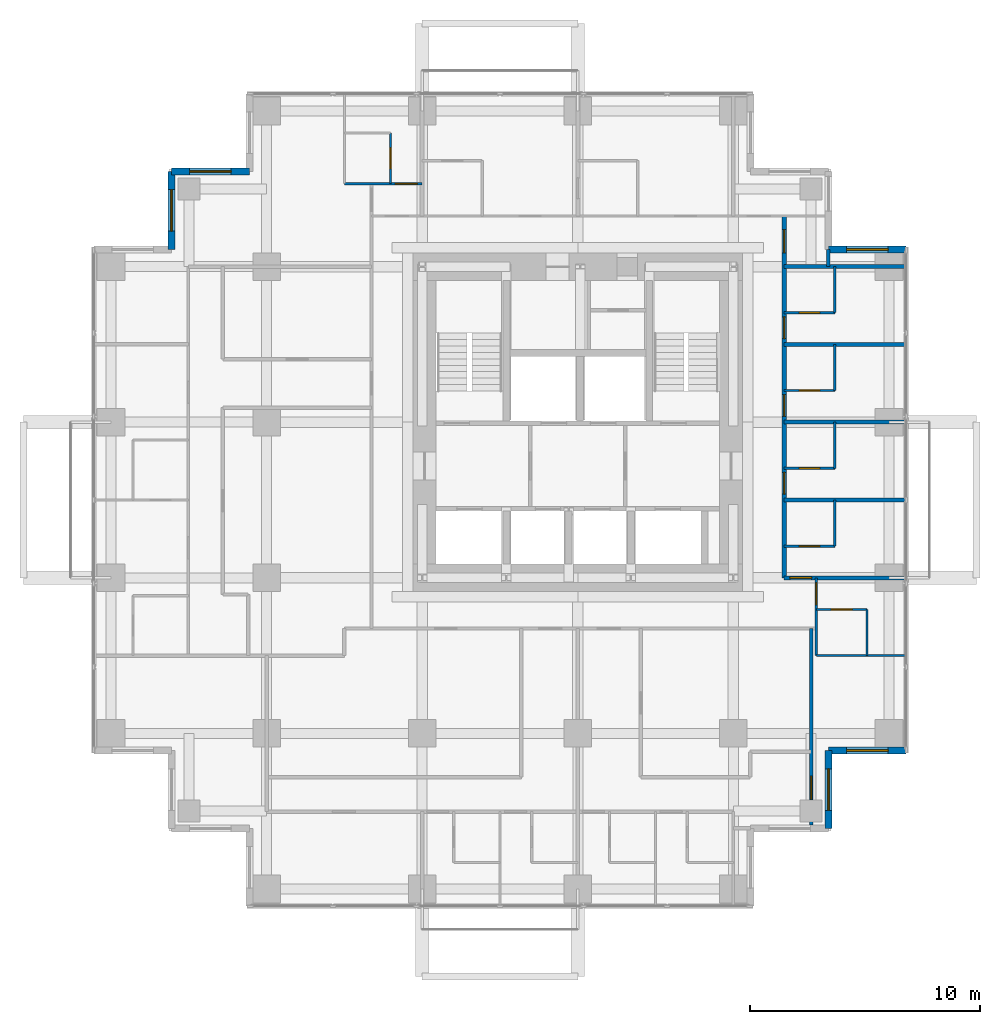
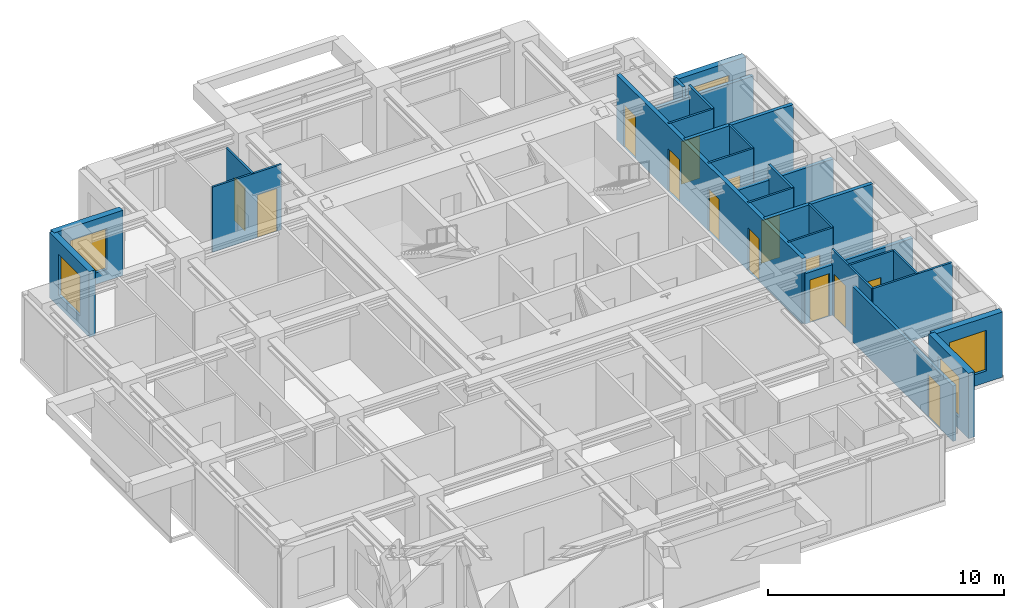
# One storey, part 8 of 10: 27 walls, 14 doors, 5 windows, 19 openings.
"""IFC4 building model written with IfcOpenShell, lengths in metres."""

from ifc_helpers import new_model, si_unit, direction, frame, frame_2d, origin, place, context, subcontext, project, spatial, rectangle, extrude, material, layer, layer_set, type_object, element, fill, save


model = new_model("IFC4")

# Units and contexts
model_context = context("Model", 3, precision=1e-05, world=origin(), true_north=direction((0.0, 1.0)))
body_context = subcontext(model_context, "Body", "Model", "MODEL_VIEW")
ifc_project = project(units=[si_unit("LENGTHUNIT", "METRE"), si_unit("AREAUNIT", "SQUARE_METRE"), si_unit("VOLUMEUNIT", "CUBIC_METRE"), si_unit("PLANEANGLEUNIT", "RADIAN"), si_unit("MASSUNIT", "GRAM", prefix="KILO")], contexts=[model_context])

# Site, building, storey
site_placement = place(None, origin())
site = spatial("IfcSite", under=ifc_project, at=site_placement, CompositionType="ELEMENT")
building_placement = place(site_placement, origin())
building = spatial("IfcBuilding", under=site, at=building_placement, Name="Nyansa Garden Tower", CompositionType="ELEMENT")
storey_placement = place(building_placement, frame((0.0, 0.0, 189.0)))
storey = spatial("IfcBuildingStorey", under=building, at=storey_placement, Name="L51", CompositionType="ELEMENT", Elevation=189.0)

# Wall, opening, door
ifc_material_1 = material(Name="Dense blockwork, plastered both sides, 55 dB", Category="masonry")
ifc_layer_1 = layer(ifc_material_1, 0.175048828125)
ifc_layer_set_1 = layer_set([ifc_layer_1], Name="Acoustic party wall PW175")
wall_type_1 = type_object("IfcWallType", Name="Acoustic party wall PW175", PredefinedType="PARTITIONING", material=ifc_layer_set_1)
wall_1_placement = place(storey_placement, frame((29.199951171875, 13.5, 0.0), z_axis=(0.0, 0.0, 1.0), x_axis=(1.0, 0.0, 0.0)))
wall_1 = element("IfcWall", 1, at=wall_1_placement, inside=storey, type_object=wall_type_1, Name="Party wall", PredefinedType="PARTITIONING", context=body_context, shape_type="SweptSolid", body=[
    extrude(rectangle(XDim=5.283935546875, YDim=0.175048828125, at=frame_2d((2.64208984375, 0.0))), origin(), (0.0, 0.0, 1.0), 2.610107421875),
])
opening_1_placement = place(wall_1_placement, frame((0.25, 0.0, 0.0)))
opening_1 = element("IfcOpeningElement", 2, at=opening_1_placement, cuts=wall_1, Name="Opening D14", PredefinedType="OPENING", context=body_context, shape_type="SweptSolid", body=[
    extrude(rectangle(XDim=0.949951171875, YDim=2.199951171875, at=frame_2d((0.47509765625, 1.10009765625))), frame((0.0, 0.097412109375, 0.0), z_axis=(0.0, -1.0, 0.0), x_axis=(1.0, 0.0, 0.0)), (0.0, 0.0, 1.0), 0.195068359375),
])
ifc_material_2 = material(Name="Timber flush door, 60 minute fire resisting, self-closing", Category="wood")
door_type_1 = type_object("IfcDoorType", Name="Studio entrance door D14 950x2200", OperationType="SINGLE_SWING_LEFT", PredefinedType="DOOR", material=ifc_material_2)
door_1_placement = place(opening_1_placement, origin())
door_1 = element("IfcDoor", 3, at=door_1_placement, inside=storey, type_object=door_type_1, Name="Door L51-033", OperationType="SINGLE_SWING_LEFT", OverallHeight=2.199951171875, OverallWidth=0.949951171875, PredefinedType="DOOR", context=body_context, shape_type="SweptSolid", body=[
    extrude(rectangle(XDim=0.949951171875, YDim=2.199951171875, at=frame_2d((0.47509765625, 1.10009765625))), frame((0.0, 0.02490234375, 0.0), z_axis=(0.0, -1.0, 0.0), x_axis=(1.0, 0.0, 0.0)), (0.0, 0.0, 1.0), 0.050048828125),
])
fill(opening_1, door_1)

# Walls
wall_2_placement = place(storey_placement, frame((29.199951171875, 16.875, 0.0), z_axis=(0.0, 0.0, 1.0), x_axis=(1.0, 0.0, 0.0)))
element("IfcWall", 4, at=wall_2_placement, inside=storey, type_object=wall_type_1, Name="Party wall", PredefinedType="PARTITIONING", context=body_context, shape_type="SweptSolid", body=[
    extrude(rectangle(XDim=5.283935546875, YDim=0.175048828125, at=frame_2d((2.64208984375, 0.0))), origin(), (0.0, 0.0, 1.0), 3.375),
])
wall_3_placement = place(storey_placement, frame((29.199951171875, 20.25, 0.0), z_axis=(0.0, 0.0, 1.0), x_axis=(1.0, 0.0, 0.0)))
element("IfcWall", 5, at=wall_3_placement, inside=storey, type_object=wall_type_1, Name="Party wall", PredefinedType="PARTITIONING", context=body_context, shape_type="SweptSolid", body=[
    extrude(rectangle(XDim=5.283935546875, YDim=0.175048828125, at=frame_2d((2.64208984375, 0.0))), origin(), (0.0, 0.0, 1.0), 2.610107421875),
])
wall_4_placement = place(storey_placement, frame((29.199951171875, 23.625, 0.0), z_axis=(0.0, 0.0, 1.0), x_axis=(1.0, 0.0, 0.0)))
element("IfcWall", 6, at=wall_4_placement, inside=storey, type_object=wall_type_1, Name="Party wall", PredefinedType="PARTITIONING", context=body_context, shape_type="SweptSolid", body=[
    extrude(rectangle(XDim=5.283935546875, YDim=0.175048828125, at=frame_2d((2.64208984375, 0.0))), origin(), (0.0, 0.0, 1.0), 3.375),
])
wall_5_placement = place(storey_placement, frame((29.199951171875, 27.0, 0.0), z_axis=(0.0, 0.0, 1.0), x_axis=(1.0, 0.0, 0.0)))
element("IfcWall", 7, at=wall_5_placement, inside=storey, type_object=wall_type_1, Name="Party wall", PredefinedType="PARTITIONING", context=body_context, shape_type="SweptSolid", body=[
    extrude(rectangle(XDim=5.283935546875, YDim=0.175048828125, at=frame_2d((2.64208984375, 0.0))), origin(), (0.0, 0.0, 1.0), 2.805908203125),
])

# Wall, openings, doors
ifc_material_3 = material(Name="Concrete blockwork, plastered, 60 minute fire resisting", Category="masonry")
ifc_layer_2 = layer(ifc_material_3, 0.199951171875)
ifc_layer_set_2 = layer_set([ifc_layer_2], Name="Corridor wall FW200")
wall_type_2 = type_object("IfcWallType", Name="Corridor wall FW200", PredefinedType="PARTITIONING", material=ifc_layer_set_2)
wall_6_placement = place(storey_placement, frame((29.199951171875, 13.5, 0.0), z_axis=(0.0, 0.0, 1.0), x_axis=(0.0, 1.0, 0.0)))
wall_6 = element("IfcWall", 8, at=wall_6_placement, inside=storey, type_object=wall_type_2, Name="Corridor wall", PredefinedType="PARTITIONING", context=body_context, shape_type="SweptSolid", body=[
    extrude(rectangle(XDim=15.699951171875, YDim=0.199951171875, at=frame_2d((7.85009765625, 0.0))), origin(), (0.0, 0.0, 1.0), 3.375),
])
opening_2_placement = place(wall_6_placement, frame((3.625, 0.0, 0.0)))
opening_2 = element("IfcOpeningElement", 9, at=opening_2_placement, cuts=wall_6, Name="Opening D14", PredefinedType="OPENING", context=body_context, shape_type="SweptSolid", body=[
    extrude(rectangle(XDim=0.949951171875, YDim=2.199951171875, at=frame_2d((0.47509765625, 1.10009765625))), frame((0.0, 0.10986328125, 0.0), z_axis=(0.0, -1.0, 0.0), x_axis=(1.0, 0.0, 0.0)), (0.0, 0.0, 1.0), 0.219970703125),
])
opening_3_placement = place(wall_6_placement, frame((7.0, 0.0, 0.0)))
opening_3 = element("IfcOpeningElement", 10, at=opening_3_placement, cuts=wall_6, Name="Opening D14", PredefinedType="OPENING", context=body_context, shape_type="SweptSolid", body=[
    extrude(rectangle(XDim=0.949951171875, YDim=2.199951171875, at=frame_2d((0.47509765625, 1.10009765625))), frame((0.0, 0.10986328125, 0.0), z_axis=(0.0, -1.0, 0.0), x_axis=(1.0, 0.0, 0.0)), (0.0, 0.0, 1.0), 0.219970703125),
])
opening_4_placement = place(wall_6_placement, frame((10.375, 0.0, 0.0)))
opening_4 = element("IfcOpeningElement", 11, at=opening_4_placement, cuts=wall_6, Name="Opening D14", PredefinedType="OPENING", context=body_context, shape_type="SweptSolid", body=[
    extrude(rectangle(XDim=0.949951171875, YDim=2.199951171875, at=frame_2d((0.47509765625, 1.10009765625))), frame((0.0, 0.10986328125, 0.0), z_axis=(0.0, -1.0, 0.0), x_axis=(1.0, 0.0, 0.0)), (0.0, 0.0, 1.0), 0.219970703125),
])
opening_5_placement = place(wall_6_placement, frame((14.10009765625, 0.0, 0.0)))
opening_5 = element("IfcOpeningElement", 12, at=opening_5_placement, cuts=wall_6, Name="Opening D03", PredefinedType="OPENING", context=body_context, shape_type="SweptSolid", body=[
    extrude(rectangle(XDim=1.0, YDim=2.199951171875, at=frame_2d((0.5, 1.10009765625))), frame((0.0, 0.10986328125, 0.0), z_axis=(0.0, -1.0, 0.0), x_axis=(1.0, 0.0, 0.0)), (0.0, 0.0, 1.0), 0.219970703125),
])
ifc_material_4 = material(Name="Timber flush door, 60 minute fire resisting", Category="wood")
door_type_2 = type_object("IfcDoorType", Name="Cluster entrance door D03 1000x2200", OperationType="SINGLE_SWING_LEFT", PredefinedType="DOOR", material=ifc_material_4)
door_2_placement = place(opening_5_placement, origin())
door_2 = element("IfcDoor", 13, at=door_2_placement, inside=storey, type_object=door_type_2, Name="Door L51-041", OperationType="SINGLE_SWING_LEFT", OverallHeight=2.199951171875, OverallWidth=1.0, PredefinedType="DOOR", context=body_context, shape_type="SweptSolid", body=[
    extrude(rectangle(XDim=1.0, YDim=2.199951171875, at=frame_2d((0.5, 1.10009765625))), frame((0.0, 0.02490234375, 0.0), z_axis=(0.0, -1.0, 0.0), x_axis=(1.0, 0.0, 0.0)), (0.0, 0.0, 1.0), 0.050048828125),
])
fill(opening_5, door_2)
door_3_placement = place(opening_2_placement, origin())
door_3 = element("IfcDoor", 14, at=door_3_placement, inside=storey, type_object=door_type_1, Name="Door L51-035", OperationType="SINGLE_SWING_LEFT", OverallHeight=2.199951171875, OverallWidth=0.949951171875, PredefinedType="DOOR", context=body_context, shape_type="SweptSolid", body=[
    extrude(rectangle(XDim=0.949951171875, YDim=2.199951171875, at=frame_2d((0.47509765625, 1.10009765625))), frame((0.0, 0.02490234375, 0.0), z_axis=(0.0, -1.0, 0.0), x_axis=(1.0, 0.0, 0.0)), (0.0, 0.0, 1.0), 0.050048828125),
])
fill(opening_2, door_3)
door_4_placement = place(opening_3_placement, origin())
door_4 = element("IfcDoor", 15, at=door_4_placement, inside=storey, type_object=door_type_1, Name="Door L51-037", OperationType="SINGLE_SWING_LEFT", OverallHeight=2.199951171875, OverallWidth=0.949951171875, PredefinedType="DOOR", context=body_context, shape_type="SweptSolid", body=[
    extrude(rectangle(XDim=0.949951171875, YDim=2.199951171875, at=frame_2d((0.47509765625, 1.10009765625))), frame((0.0, 0.02490234375, 0.0), z_axis=(0.0, -1.0, 0.0), x_axis=(1.0, 0.0, 0.0)), (0.0, 0.0, 1.0), 0.050048828125),
])
fill(opening_3, door_4)
door_5_placement = place(opening_4_placement, origin())
door_5 = element("IfcDoor", 16, at=door_5_placement, inside=storey, type_object=door_type_1, Name="Door L51-039", OperationType="SINGLE_SWING_LEFT", OverallHeight=2.199951171875, OverallWidth=0.949951171875, PredefinedType="DOOR", context=body_context, shape_type="SweptSolid", body=[
    extrude(rectangle(XDim=0.949951171875, YDim=2.199951171875, at=frame_2d((0.47509765625, 1.10009765625))), frame((0.0, 0.02490234375, 0.0), z_axis=(0.0, -1.0, 0.0), x_axis=(1.0, 0.0, 0.0)), (0.0, 0.0, 1.0), 0.050048828125),
])
fill(opening_4, door_5)

# Wall, opening, door
ifc_material_5 = material(Name="Blockwork, plastered both sides", Category="masonry")
ifc_layer_3 = layer(ifc_material_5, 0.14990234375)
ifc_layer_set_3 = layer_set([ifc_layer_3], Name="Partition PW150")
wall_type_3 = type_object("IfcWallType", Name="Partition PW150", PredefinedType="PARTITIONING", material=ifc_layer_set_3)
wall_7_placement = place(storey_placement, frame((30.375, 2.77490234375, 0.0), z_axis=(0.0, 0.0, 1.0), x_axis=(0.0, 1.0, 0.0)))
wall_7 = element("IfcWall", 17, at=wall_7_placement, inside=storey, type_object=wall_type_3, Name="Partition", PredefinedType="PARTITIONING", context=body_context, shape_type="SweptSolid", body=[
    extrude(rectangle(XDim=8.525146484375, YDim=0.14990234375, at=frame_2d((4.2626953125, 0.0))), origin(), (0.0, 0.0, 1.0), 2.876953125),
])
opening_6_placement = place(wall_7_placement, frame((1.115966796875, 0.0, 0.0)))
opening_6 = element("IfcOpeningElement", 18, at=opening_6_placement, cuts=wall_7, Name="Opening D03", PredefinedType="OPENING", context=body_context, shape_type="SweptSolid", body=[
    extrude(rectangle(XDim=1.0, YDim=2.199951171875, at=frame_2d((0.5, 1.10009765625))), frame((0.0, 0.0849609375, 0.0), z_axis=(0.0, -1.0, 0.0), x_axis=(1.0, 0.0, 0.0)), (0.0, 0.0, 1.0), 0.169921875),
])
door_6_placement = place(opening_6_placement, origin())
door_6 = element("IfcDoor", 19, at=door_6_placement, inside=storey, type_object=door_type_2, Name="Door L51-030", OperationType="SINGLE_SWING_LEFT", OverallHeight=2.199951171875, OverallWidth=1.0, PredefinedType="DOOR", context=body_context, shape_type="SweptSolid", body=[
    extrude(rectangle(XDim=1.0, YDim=2.199951171875, at=frame_2d((0.5, 1.10009765625))), frame((0.0, 0.02490234375, 0.0), z_axis=(0.0, -1.0, 0.0), x_axis=(1.0, 0.0, 0.0)), (0.0, 0.0, 1.0), 0.050048828125),
])
fill(opening_6, door_6)

# Wall
wall_8_placement = place(storey_placement, frame((31.125, 27.0, 0.0), z_axis=(0.0, 0.0, 1.0), x_axis=(0.0, 1.0, 0.0)))
element("IfcWall", 20, at=wall_8_placement, inside=storey, type_object=wall_type_3, Name="Partition", PredefinedType="PARTITIONING", context=body_context, shape_type="SweptSolid", body=[
    extrude(rectangle(XDim=0.73388671875, YDim=0.14990234375, at=frame_2d((0.366943359375, 0.0))), origin(), (0.0, 0.0, 1.0), 3.375),
])

# Wall, opening, window
ifc_material_6 = material(Name="Turquoise glazed tile on concrete blockwork", Category="masonry")
ifc_layer_4 = layer(ifc_material_6, 0.300048828125)
ifc_layer_set_4 = layer_set([ifc_layer_4], Name="Tiled corner wall TW300")
wall_type_4 = type_object("IfcWallType", Name="Tiled corner wall TW300", PredefinedType="SOLIDWALL", material=ifc_layer_set_4)
wall_9_placement = place(storey_placement, frame((34.5, 27.75, 0.0), z_axis=(0.0, 0.0, 1.0), x_axis=(-1.0, 0.0, 0.0)))
wall_9 = element("IfcWall", 21, at=wall_9_placement, inside=storey, type_object=wall_type_4, Name="Tiled corner wall L51", PredefinedType="SOLIDWALL", context=body_context, shape_type="SweptSolid", body=[
    extrude(rectangle(XDim=3.375, YDim=0.300048828125, at=frame_2d((1.6875, 0.0))), origin(), (0.0, 0.0, 1.0), 3.375),
])
opening_7_placement = place(wall_9_placement, frame((0.78759765625, 0.0, 0.60009765625)))
opening_7 = element("IfcOpeningElement", 22, at=opening_7_placement, cuts=wall_9, Name="Opening W2", PredefinedType="OPENING", context=body_context, shape_type="SweptSolid", body=[
    extrude(rectangle(XDim=1.800048828125, YDim=2.10009765625, at=frame_2d((0.89990234375, 1.050048828125))), frame((0.0, 0.159912109375, 0.0), z_axis=(0.0, -1.0, 0.0), x_axis=(1.0, 0.0, 0.0)), (0.0, 0.0, 1.0), 0.320068359375),
])
ifc_material_7 = material(Name="Black aluminium frame, dark tinted double glazing", Category="aluminium")
window_type = type_object("IfcWindowType", Name="Window W2 1800x2100", PartitioningType="SINGLE_PANEL", PredefinedType="WINDOW", material=ifc_material_7)
window_1_placement = place(opening_7_placement, origin())
window_1 = element("IfcWindow", 23, at=window_1_placement, inside=storey, type_object=window_type, Name="Corner window L51", OverallHeight=2.10009765625, OverallWidth=1.800048828125, PartitioningType="SINGLE_PANEL", PredefinedType="WINDOW", context=body_context, shape_type="SweptSolid", body=[
    extrude(rectangle(XDim=1.800048828125, YDim=2.10009765625, at=frame_2d((0.89990234375, 1.050048828125))), frame((0.0, 0.030029296875, 0.0), z_axis=(0.0, -1.0, 0.0), x_axis=(1.0, 0.0, 0.0)), (0.0, 0.0, 1.0), 0.06005859375),
])
fill(opening_7, window_1)

wall_10_placement = place(storey_placement, frame((6.0, 31.125, 0.0), z_axis=(0.0, 0.0, 1.0), x_axis=(-1.0, 0.0, 0.0)))
wall_10 = element("IfcWall", 24, at=wall_10_placement, inside=storey, type_object=wall_type_4, Name="Tiled corner wall L51", PredefinedType="SOLIDWALL", context=body_context, shape_type="SweptSolid", body=[
    extrude(rectangle(XDim=3.375, YDim=0.300048828125, at=frame_2d((1.6875, 0.0))), origin(), (0.0, 0.0, 1.0), 3.375),
])
opening_8_placement = place(wall_10_placement, frame((0.78759765625, 0.0, 0.60009765625)))
opening_8 = element("IfcOpeningElement", 25, at=opening_8_placement, cuts=wall_10, Name="Opening W2", PredefinedType="OPENING", context=body_context, shape_type="SweptSolid", body=[
    extrude(rectangle(XDim=1.800048828125, YDim=2.10009765625, at=frame_2d((0.89990234375, 1.050048828125))), frame((0.0, 0.159912109375, 0.0), z_axis=(0.0, -1.0, 0.0), x_axis=(1.0, 0.0, 0.0)), (0.0, 0.0, 1.0), 0.320068359375),
])
window_2_placement = place(opening_8_placement, origin())
window_2 = element("IfcWindow", 26, at=window_2_placement, inside=storey, type_object=window_type, Name="Corner window L51", OverallHeight=2.10009765625, OverallWidth=1.800048828125, PartitioningType="SINGLE_PANEL", PredefinedType="WINDOW", context=body_context, shape_type="SweptSolid", body=[
    extrude(rectangle(XDim=1.800048828125, YDim=2.10009765625, at=frame_2d((0.89990234375, 1.050048828125))), frame((0.0, 0.030029296875, 0.0), z_axis=(0.0, -1.0, 0.0), x_axis=(1.0, 0.0, 0.0)), (0.0, 0.0, 1.0), 0.06005859375),
])
fill(opening_8, window_2)

wall_11_placement = place(storey_placement, frame((2.625, 31.125, 0.0), z_axis=(0.0, 0.0, 1.0), x_axis=(0.0, -1.0, 0.0)))
wall_11 = element("IfcWall", 27, at=wall_11_placement, inside=storey, type_object=wall_type_4, Name="Tiled corner wall L51", PredefinedType="SOLIDWALL", context=body_context, shape_type="SweptSolid", body=[
    extrude(rectangle(XDim=3.375, YDim=0.300048828125, at=frame_2d((1.6875, 0.0))), origin(), (0.0, 0.0, 1.0), 3.375),
])
opening_9_placement = place(wall_11_placement, frame((0.78759765625, 0.0, 0.60009765625)))
opening_9 = element("IfcOpeningElement", 28, at=opening_9_placement, cuts=wall_11, Name="Opening W2", PredefinedType="OPENING", context=body_context, shape_type="SweptSolid", body=[
    extrude(rectangle(XDim=1.800048828125, YDim=2.10009765625, at=frame_2d((0.89990234375, 1.050048828125))), frame((0.0, 0.159912109375, 0.0), z_axis=(0.0, -1.0, 0.0), x_axis=(1.0, 0.0, 0.0)), (0.0, 0.0, 1.0), 0.320068359375),
])
window_3_placement = place(opening_9_placement, origin())
window_3 = element("IfcWindow", 29, at=window_3_placement, inside=storey, type_object=window_type, Name="Corner window L51", OverallHeight=2.10009765625, OverallWidth=1.800048828125, PartitioningType="SINGLE_PANEL", PredefinedType="WINDOW", context=body_context, shape_type="SweptSolid", body=[
    extrude(rectangle(XDim=1.800048828125, YDim=2.10009765625, at=frame_2d((0.89990234375, 1.050048828125))), frame((0.0, 0.030029296875, 0.0), z_axis=(0.0, -1.0, 0.0), x_axis=(1.0, 0.0, 0.0)), (0.0, 0.0, 1.0), 0.06005859375),
])
fill(opening_9, window_3)

wall_12_placement = place(storey_placement, frame((31.125, 2.625, 0.0), z_axis=(0.0, 0.0, 1.0), x_axis=(0.0, 1.0, 0.0)))
wall_12 = element("IfcWall", 30, at=wall_12_placement, inside=storey, type_object=wall_type_4, Name="Tiled corner wall L51", PredefinedType="SOLIDWALL", context=body_context, shape_type="SweptSolid", body=[
    extrude(rectangle(XDim=3.375, YDim=0.300048828125, at=frame_2d((1.6875, 0.0))), origin(), (0.0, 0.0, 1.0), 3.375),
])
opening_10_placement = place(wall_12_placement, frame((0.78759765625, 0.0, 0.60009765625)))
opening_10 = element("IfcOpeningElement", 31, at=opening_10_placement, cuts=wall_12, Name="Opening W2", PredefinedType="OPENING", context=body_context, shape_type="SweptSolid", body=[
    extrude(rectangle(XDim=1.800048828125, YDim=2.10009765625, at=frame_2d((0.89990234375, 1.050048828125))), frame((0.0, 0.159912109375, 0.0), z_axis=(0.0, -1.0, 0.0), x_axis=(1.0, 0.0, 0.0)), (0.0, 0.0, 1.0), 0.320068359375),
])
window_4_placement = place(opening_10_placement, origin())
window_4 = element("IfcWindow", 32, at=window_4_placement, inside=storey, type_object=window_type, Name="Corner window L51", OverallHeight=2.10009765625, OverallWidth=1.800048828125, PartitioningType="SINGLE_PANEL", PredefinedType="WINDOW", context=body_context, shape_type="SweptSolid", body=[
    extrude(rectangle(XDim=1.800048828125, YDim=2.10009765625, at=frame_2d((0.89990234375, 1.050048828125))), frame((0.0, 0.030029296875, 0.0), z_axis=(0.0, -1.0, 0.0), x_axis=(1.0, 0.0, 0.0)), (0.0, 0.0, 1.0), 0.06005859375),
])
fill(opening_10, window_4)

wall_13_placement = place(storey_placement, frame((31.125, 6.0, 0.0), z_axis=(0.0, 0.0, 1.0), x_axis=(1.0, 0.0, 0.0)))
wall_13 = element("IfcWall", 33, at=wall_13_placement, inside=storey, type_object=wall_type_4, Name="Tiled corner wall L51", PredefinedType="SOLIDWALL", context=body_context, shape_type="SweptSolid", body=[
    extrude(rectangle(XDim=3.375, YDim=0.300048828125, at=frame_2d((1.6875, 0.0))), origin(), (0.0, 0.0, 1.0), 3.375),
])
opening_11_placement = place(wall_13_placement, frame((0.78759765625, 0.0, 0.60009765625)))
opening_11 = element("IfcOpeningElement", 34, at=opening_11_placement, cuts=wall_13, Name="Opening W2", PredefinedType="OPENING", context=body_context, shape_type="SweptSolid", body=[
    extrude(rectangle(XDim=1.800048828125, YDim=2.10009765625, at=frame_2d((0.89990234375, 1.050048828125))), frame((0.0, 0.159912109375, 0.0), z_axis=(0.0, -1.0, 0.0), x_axis=(1.0, 0.0, 0.0)), (0.0, 0.0, 1.0), 0.320068359375),
])
window_5_placement = place(opening_11_placement, origin())
window_5 = element("IfcWindow", 35, at=window_5_placement, inside=storey, type_object=window_type, Name="Corner window L51", OverallHeight=2.10009765625, OverallWidth=1.800048828125, PartitioningType="SINGLE_PANEL", PredefinedType="WINDOW", context=body_context, shape_type="SweptSolid", body=[
    extrude(rectangle(XDim=1.800048828125, YDim=2.10009765625, at=frame_2d((0.89990234375, 1.050048828125))), frame((0.0, 0.030029296875, 0.0), z_axis=(0.0, -1.0, 0.0), x_axis=(1.0, 0.0, 0.0)), (0.0, 0.0, 1.0), 0.06005859375),
])
fill(opening_11, window_5)

# Wall, opening, door
ifc_material_8 = material(Name="Moisture resistant board on steel studs, tiled", Category="steel")
ifc_layer_5 = layer(ifc_material_8, 0.10009765625)
ifc_layer_set_5 = layer_set([ifc_layer_5], Name="Wet wall PW100")
wall_type_5 = type_object("IfcWallType", Name="Wet wall PW100", PredefinedType="PARTITIONING", material=ifc_layer_set_5)
wall_14_placement = place(storey_placement, frame((10.125, 30.60009765625, 0.0), z_axis=(0.0, 0.0, 1.0), x_axis=(1.0, 0.0, 0.0)))
wall_14 = element("IfcWall", 36, at=wall_14_placement, inside=storey, type_object=wall_type_5, Name="Wet wall", PredefinedType="PARTITIONING", context=body_context, shape_type="SweptSolid", body=[
    extrude(rectangle(XDim=3.375, YDim=0.10009765625, at=frame_2d((1.6875, 0.0))), origin(), (0.0, 0.0, 1.0), 3.375),
])
opening_12_placement = place(wall_14_placement, frame((2.199951171875, 0.0, 0.0)))
opening_12 = element("IfcOpeningElement", 37, at=opening_12_placement, cuts=wall_14, Name="Opening D14", PredefinedType="OPENING", context=body_context, shape_type="SweptSolid", body=[
    extrude(rectangle(XDim=0.949951171875, YDim=2.199951171875, at=frame_2d((0.47509765625, 1.10009765625))), frame((0.0, 0.06005859375, 0.0), z_axis=(0.0, -1.0, 0.0), x_axis=(1.0, 0.0, 0.0)), (0.0, 0.0, 1.0), 0.1201171875),
])
door_7_placement = place(opening_12_placement, origin())
door_7 = element("IfcDoor", 38, at=door_7_placement, inside=storey, type_object=door_type_1, Name="Door L51-047", OperationType="SINGLE_SWING_LEFT", OverallHeight=2.199951171875, OverallWidth=0.949951171875, PredefinedType="DOOR", context=body_context, shape_type="SweptSolid", body=[
    extrude(rectangle(XDim=0.949951171875, YDim=2.199951171875, at=frame_2d((0.47509765625, 1.10009765625))), frame((0.0, 0.02490234375, 0.0), z_axis=(0.0, -1.0, 0.0), x_axis=(1.0, 0.0, 0.0)), (0.0, 0.0, 1.0), 0.050048828125),
])
fill(opening_12, door_7)

wall_15_placement = place(storey_placement, frame((12.125, 30.60009765625, 0.0), z_axis=(0.0, 0.0, 1.0), x_axis=(0.0, 1.0, 0.0)))
wall_15 = element("IfcWall", 39, at=wall_15_placement, inside=storey, type_object=wall_type_5, Name="Wet wall", PredefinedType="PARTITIONING", context=body_context, shape_type="SweptSolid", body=[
    extrude(rectangle(XDim=2.199951171875, YDim=0.10009765625, at=frame_2d((1.10009765625, 0.0))), origin(), (0.0, 0.0, 1.0), 3.375),
])
opening_13_placement = place(wall_15_placement, frame((0.64990234375, 0.0, 0.0)))
opening_13 = element("IfcOpeningElement", 40, at=opening_13_placement, cuts=wall_15, Name="Opening D02", PredefinedType="OPENING", context=body_context, shape_type="SweptSolid", body=[
    extrude(rectangle(XDim=0.89990234375, YDim=2.199951171875, at=frame_2d((0.449951171875, 1.10009765625))), frame((0.0, 0.06005859375, 0.0), z_axis=(0.0, -1.0, 0.0), x_axis=(1.0, 0.0, 0.0)), (0.0, 0.0, 1.0), 0.1201171875),
])
ifc_material_9 = material(Name="Timber flush door", Category="wood")
door_type_3 = type_object("IfcDoorType", Name="En-suite door D02 900x2200", OperationType="SINGLE_SWING_RIGHT", PredefinedType="DOOR", material=ifc_material_9)
door_8_placement = place(opening_13_placement, origin())
door_8 = element("IfcDoor", 41, at=door_8_placement, inside=storey, type_object=door_type_3, Name="Door L51-048", OperationType="SINGLE_SWING_RIGHT", OverallHeight=2.199951171875, OverallWidth=0.89990234375, PredefinedType="DOOR", context=body_context, shape_type="SweptSolid", body=[
    extrude(rectangle(XDim=0.89990234375, YDim=2.199951171875, at=frame_2d((0.449951171875, 1.10009765625))), frame((0.0, 0.02490234375, 0.0), z_axis=(0.0, -1.0, 0.0), x_axis=(1.0, 0.0, 0.0)), (0.0, 0.0, 1.0), 0.050048828125),
])
fill(opening_13, door_8)

wall_16_placement = place(storey_placement, frame((29.199951171875, 14.875, 0.0), z_axis=(0.0, 0.0, 1.0), x_axis=(1.0, 0.0, 0.0)))
wall_16 = element("IfcWall", 42, at=wall_16_placement, inside=storey, type_object=wall_type_5, Name="Wet wall", PredefinedType="PARTITIONING", context=body_context, shape_type="SweptSolid", body=[
    extrude(rectangle(XDim=2.199951171875, YDim=0.10009765625, at=frame_2d((1.10009765625, 0.0))), origin(), (0.0, 0.0, 1.0), 3.375),
])
opening_14_placement = place(wall_16_placement, frame((0.64990234375, 0.0, 0.0)))
opening_14 = element("IfcOpeningElement", 43, at=opening_14_placement, cuts=wall_16, Name="Opening D02", PredefinedType="OPENING", context=body_context, shape_type="SweptSolid", body=[
    extrude(rectangle(XDim=0.89990234375, YDim=2.199951171875, at=frame_2d((0.449951171875, 1.10009765625))), frame((0.0, 0.06005859375, 0.0), z_axis=(0.0, -1.0, 0.0), x_axis=(1.0, 0.0, 0.0)), (0.0, 0.0, 1.0), 0.1201171875),
])
door_9_placement = place(opening_14_placement, origin())
door_9 = element("IfcDoor", 44, at=door_9_placement, inside=storey, type_object=door_type_3, Name="Door L51-034", OperationType="SINGLE_SWING_RIGHT", OverallHeight=2.199951171875, OverallWidth=0.89990234375, PredefinedType="DOOR", context=body_context, shape_type="SweptSolid", body=[
    extrude(rectangle(XDim=0.89990234375, YDim=2.199951171875, at=frame_2d((0.449951171875, 1.10009765625))), frame((0.0, 0.02490234375, 0.0), z_axis=(0.0, -1.0, 0.0), x_axis=(1.0, 0.0, 0.0)), (0.0, 0.0, 1.0), 0.050048828125),
])
fill(opening_14, door_9)

wall_17_placement = place(storey_placement, frame((29.199951171875, 18.25, 0.0), z_axis=(0.0, 0.0, 1.0), x_axis=(1.0, 0.0, 0.0)))
wall_17 = element("IfcWall", 45, at=wall_17_placement, inside=storey, type_object=wall_type_5, Name="Wet wall", PredefinedType="PARTITIONING", context=body_context, shape_type="SweptSolid", body=[
    extrude(rectangle(XDim=2.199951171875, YDim=0.10009765625, at=frame_2d((1.10009765625, 0.0))), origin(), (0.0, 0.0, 1.0), 3.375),
])
opening_15_placement = place(wall_17_placement, frame((0.64990234375, 0.0, 0.0)))
opening_15 = element("IfcOpeningElement", 46, at=opening_15_placement, cuts=wall_17, Name="Opening D02", PredefinedType="OPENING", context=body_context, shape_type="SweptSolid", body=[
    extrude(rectangle(XDim=0.89990234375, YDim=2.199951171875, at=frame_2d((0.449951171875, 1.10009765625))), frame((0.0, 0.06005859375, 0.0), z_axis=(0.0, -1.0, 0.0), x_axis=(1.0, 0.0, 0.0)), (0.0, 0.0, 1.0), 0.1201171875),
])
door_10_placement = place(opening_15_placement, origin())
door_10 = element("IfcDoor", 47, at=door_10_placement, inside=storey, type_object=door_type_3, Name="Door L51-036", OperationType="SINGLE_SWING_RIGHT", OverallHeight=2.199951171875, OverallWidth=0.89990234375, PredefinedType="DOOR", context=body_context, shape_type="SweptSolid", body=[
    extrude(rectangle(XDim=0.89990234375, YDim=2.199951171875, at=frame_2d((0.449951171875, 1.10009765625))), frame((0.0, 0.02490234375, 0.0), z_axis=(0.0, -1.0, 0.0), x_axis=(1.0, 0.0, 0.0)), (0.0, 0.0, 1.0), 0.050048828125),
])
fill(opening_15, door_10)

wall_18_placement = place(storey_placement, frame((29.199951171875, 21.625, 0.0), z_axis=(0.0, 0.0, 1.0), x_axis=(1.0, 0.0, 0.0)))
wall_18 = element("IfcWall", 48, at=wall_18_placement, inside=storey, type_object=wall_type_5, Name="Wet wall", PredefinedType="PARTITIONING", context=body_context, shape_type="SweptSolid", body=[
    extrude(rectangle(XDim=2.199951171875, YDim=0.10009765625, at=frame_2d((1.10009765625, 0.0))), origin(), (0.0, 0.0, 1.0), 3.375),
])
opening_16_placement = place(wall_18_placement, frame((0.64990234375, 0.0, 0.0)))
opening_16 = element("IfcOpeningElement", 49, at=opening_16_placement, cuts=wall_18, Name="Opening D02", PredefinedType="OPENING", context=body_context, shape_type="SweptSolid", body=[
    extrude(rectangle(XDim=0.89990234375, YDim=2.199951171875, at=frame_2d((0.449951171875, 1.10009765625))), frame((0.0, 0.06005859375, 0.0), z_axis=(0.0, -1.0, 0.0), x_axis=(1.0, 0.0, 0.0)), (0.0, 0.0, 1.0), 0.1201171875),
])
door_11_placement = place(opening_16_placement, origin())
door_11 = element("IfcDoor", 50, at=door_11_placement, inside=storey, type_object=door_type_3, Name="Door L51-038", OperationType="SINGLE_SWING_RIGHT", OverallHeight=2.199951171875, OverallWidth=0.89990234375, PredefinedType="DOOR", context=body_context, shape_type="SweptSolid", body=[
    extrude(rectangle(XDim=0.89990234375, YDim=2.199951171875, at=frame_2d((0.449951171875, 1.10009765625))), frame((0.0, 0.02490234375, 0.0), z_axis=(0.0, -1.0, 0.0), x_axis=(1.0, 0.0, 0.0)), (0.0, 0.0, 1.0), 0.050048828125),
])
fill(opening_16, door_11)

wall_19_placement = place(storey_placement, frame((29.199951171875, 25.0, 0.0), z_axis=(0.0, 0.0, 1.0), x_axis=(1.0, 0.0, 0.0)))
wall_19 = element("IfcWall", 51, at=wall_19_placement, inside=storey, type_object=wall_type_5, Name="Wet wall", PredefinedType="PARTITIONING", context=body_context, shape_type="SweptSolid", body=[
    extrude(rectangle(XDim=2.199951171875, YDim=0.10009765625, at=frame_2d((1.10009765625, 0.0))), origin(), (0.0, 0.0, 1.0), 3.375),
])
opening_17_placement = place(wall_19_placement, frame((0.64990234375, 0.0, 0.0)))
opening_17 = element("IfcOpeningElement", 52, at=opening_17_placement, cuts=wall_19, Name="Opening D02", PredefinedType="OPENING", context=body_context, shape_type="SweptSolid", body=[
    extrude(rectangle(XDim=0.89990234375, YDim=2.199951171875, at=frame_2d((0.449951171875, 1.10009765625))), frame((0.0, 0.06005859375, 0.0), z_axis=(0.0, -1.0, 0.0), x_axis=(1.0, 0.0, 0.0)), (0.0, 0.0, 1.0), 0.1201171875),
])
door_12_placement = place(opening_17_placement, origin())
door_12 = element("IfcDoor", 53, at=door_12_placement, inside=storey, type_object=door_type_3, Name="Door L51-040", OperationType="SINGLE_SWING_RIGHT", OverallHeight=2.199951171875, OverallWidth=0.89990234375, PredefinedType="DOOR", context=body_context, shape_type="SweptSolid", body=[
    extrude(rectangle(XDim=0.89990234375, YDim=2.199951171875, at=frame_2d((0.449951171875, 1.10009765625))), frame((0.0, 0.02490234375, 0.0), z_axis=(0.0, -1.0, 0.0), x_axis=(1.0, 0.0, 0.0)), (0.0, 0.0, 1.0), 0.050048828125),
])
fill(opening_17, door_12)

wall_20_placement = place(storey_placement, frame((30.60009765625, 10.125, 0.0), z_axis=(0.0, 0.0, 1.0), x_axis=(0.0, 1.0, 0.0)))
wall_20 = element("IfcWall", 54, at=wall_20_placement, inside=storey, type_object=wall_type_5, Name="Wet wall", PredefinedType="PARTITIONING", context=body_context, shape_type="SweptSolid", body=[
    extrude(rectangle(XDim=3.375, YDim=0.10009765625, at=frame_2d((1.6875, 0.0))), origin(), (0.0, 0.0, 1.0), 3.375),
])
opening_18_placement = place(wall_20_placement, frame((2.199951171875, 0.0, 0.0)))
opening_18 = element("IfcOpeningElement", 55, at=opening_18_placement, cuts=wall_20, Name="Opening D14", PredefinedType="OPENING", context=body_context, shape_type="SweptSolid", body=[
    extrude(rectangle(XDim=0.949951171875, YDim=2.199951171875, at=frame_2d((0.47509765625, 1.10009765625))), frame((0.0, 0.06005859375, 0.0), z_axis=(0.0, -1.0, 0.0), x_axis=(1.0, 0.0, 0.0)), (0.0, 0.0, 1.0), 0.1201171875),
])
door_13_placement = place(opening_18_placement, origin())
door_13 = element("IfcDoor", 56, at=door_13_placement, inside=storey, type_object=door_type_1, Name="Door L51-031", OperationType="SINGLE_SWING_LEFT", OverallHeight=2.199951171875, OverallWidth=0.949951171875, PredefinedType="DOOR", context=body_context, shape_type="SweptSolid", body=[
    extrude(rectangle(XDim=0.949951171875, YDim=2.199951171875, at=frame_2d((0.47509765625, 1.10009765625))), frame((0.0, 0.02490234375, 0.0), z_axis=(0.0, -1.0, 0.0), x_axis=(1.0, 0.0, 0.0)), (0.0, 0.0, 1.0), 0.050048828125),
])
fill(opening_18, door_13)

# Wall
wall_21_placement = place(storey_placement, frame((30.60009765625, 10.125, 0.0), z_axis=(0.0, 0.0, 1.0), x_axis=(1.0, 0.0, 0.0)))
element("IfcWall", 57, at=wall_21_placement, inside=storey, type_object=wall_type_5, Name="Wet wall", PredefinedType="PARTITIONING", context=body_context, shape_type="SweptSolid", body=[
    extrude(rectangle(XDim=3.8837890625, YDim=0.10009765625, at=frame_2d((1.94189453125, 0.0))), origin(), (0.0, 0.0, 1.0), 3.375),
])

# Wall, opening, door
wall_22_placement = place(storey_placement, frame((30.60009765625, 12.125, 0.0), z_axis=(0.0, 0.0, 1.0), x_axis=(1.0, 0.0, 0.0)))
wall_22 = element("IfcWall", 58, at=wall_22_placement, inside=storey, type_object=wall_type_5, Name="Wet wall", PredefinedType="PARTITIONING", context=body_context, shape_type="SweptSolid", body=[
    extrude(rectangle(XDim=2.199951171875, YDim=0.10009765625, at=frame_2d((1.10009765625, 0.0))), origin(), (0.0, 0.0, 1.0), 3.375),
])
opening_19_placement = place(wall_22_placement, frame((0.64990234375, 0.0, 0.0)))
opening_19 = element("IfcOpeningElement", 59, at=opening_19_placement, cuts=wall_22, Name="Opening D02", PredefinedType="OPENING", context=body_context, shape_type="SweptSolid", body=[
    extrude(rectangle(XDim=0.89990234375, YDim=2.199951171875, at=frame_2d((0.449951171875, 1.10009765625))), frame((0.0, 0.06005859375, 0.0), z_axis=(0.0, -1.0, 0.0), x_axis=(1.0, 0.0, 0.0)), (0.0, 0.0, 1.0), 0.1201171875),
])
door_14_placement = place(opening_19_placement, origin())
door_14 = element("IfcDoor", 60, at=door_14_placement, inside=storey, type_object=door_type_3, Name="Door L51-032", OperationType="SINGLE_SWING_RIGHT", OverallHeight=2.199951171875, OverallWidth=0.89990234375, PredefinedType="DOOR", context=body_context, shape_type="SweptSolid", body=[
    extrude(rectangle(XDim=0.89990234375, YDim=2.199951171875, at=frame_2d((0.449951171875, 1.10009765625))), frame((0.0, 0.02490234375, 0.0), z_axis=(0.0, -1.0, 0.0), x_axis=(1.0, 0.0, 0.0)), (0.0, 0.0, 1.0), 0.050048828125),
])
fill(opening_19, door_14)

# Walls
for number, where, z_axis, x_axis, name in (
    (61, (31.39990234375, 14.875, 0.0), (0.0, 0.0, 1.0), (0.0, 1.0, 0.0), "Wet wall"),
    (62, (31.39990234375, 18.25, 0.0), (0.0, 0.0, 1.0), (0.0, 1.0, 0.0), "Wet wall"),
    (63, (31.39990234375, 21.625, 0.0), (0.0, 0.0, 1.0), (0.0, 1.0, 0.0), "Wet wall"),
    (64, (31.39990234375, 25.0, 0.0), (0.0, 0.0, 1.0), (0.0, 1.0, 0.0), "Wet wall"),
    (65, (32.800048828125, 10.125, 0.0), (0.0, 0.0, 1.0), (0.0, 1.0, 0.0), "Wet wall"),
):
    element("IfcWall", number, at=place(storey_placement, frame(where, z_axis=z_axis, x_axis=x_axis)), inside=storey, type_object=wall_type_5, Name=name, PredefinedType="PARTITIONING", context=body_context, shape_type="SweptSolid", body=[
        extrude(rectangle(XDim=2.0, YDim=0.10009765625, at=frame_2d((1.0, 0.0))), origin(), (0.0, 0.0, 1.0), 3.375),
    ])

save(model, "model.ifc")
